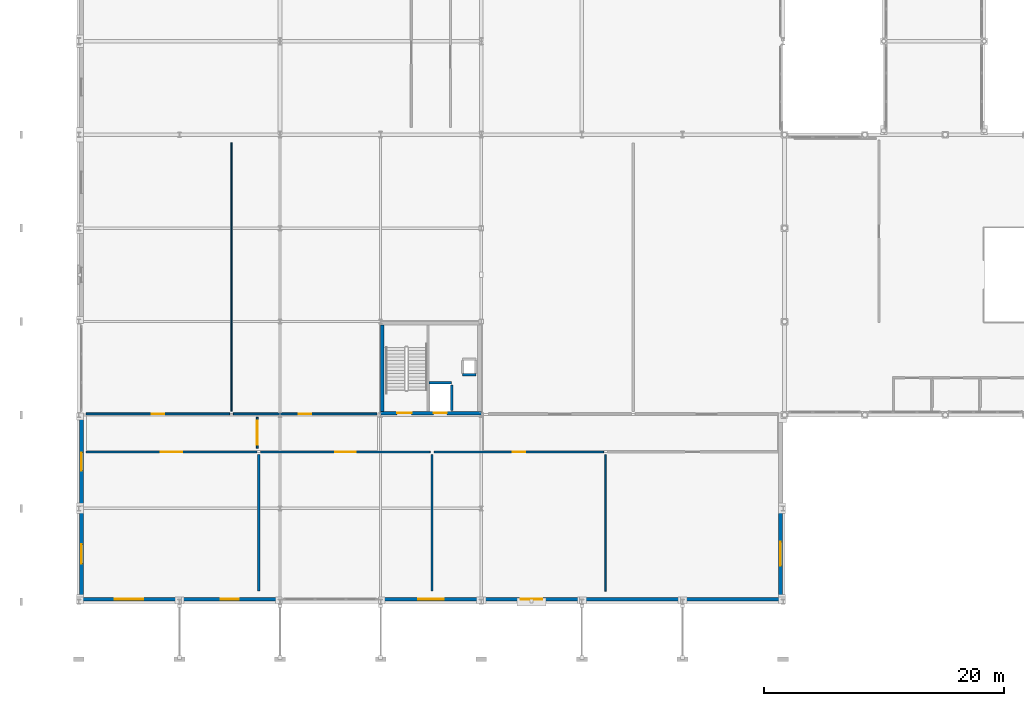
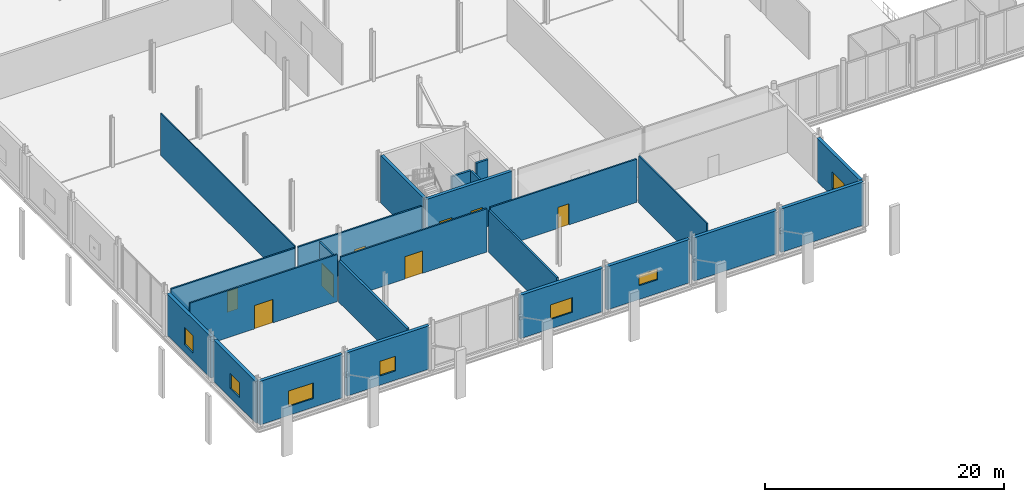
# One storey, part 75 of 105: 24 walls, 8 doors, 7 windows, 15 openings.
"""IFC4 building model written with IfcOpenShell, lengths in metres."""

from ifc_helpers import new_model, si_unit, direction, frame, frame_2d, origin, place, context, subcontext, project, spatial, rectangle, extrude, material, layer, layer_set, type_object, element, fill, save


model = new_model("IFC4")

# Units and contexts
model_context = context("Model", 3, precision=1e-05, world=origin(), true_north=direction((0.0, 1.0)))
body_context = subcontext(model_context, "Body", "Model", "MODEL_VIEW")
ifc_project = project(units=[si_unit("LENGTHUNIT", "METRE"), si_unit("AREAUNIT", "SQUARE_METRE"), si_unit("VOLUMEUNIT", "CUBIC_METRE"), si_unit("PLANEANGLEUNIT", "RADIAN"), si_unit("MASSUNIT", "GRAM", prefix="KILO")], contexts=[model_context])

# Site, building, storey
site_placement = place(None, origin())
site = spatial("IfcSite", under=ifc_project, at=site_placement, CompositionType="ELEMENT")
building_placement = place(site_placement, origin())
building = spatial("IfcBuilding", under=site, at=building_placement, Name="Nabrawat Pavilion Hospital", CompositionType="ELEMENT")
storey_placement = place(building_placement, frame((0.0, 0.0, 5.10009765625)))
storey = spatial("IfcBuildingStorey", under=building, at=storey_placement, Name="L01", CompositionType="ELEMENT", Elevation=5.10009765625)

# Wall
ifc_material_1 = material(Name="Gypsum Plasterboard on Stud", Category="gypsum")
ifc_layer_1 = layer(ifc_material_1, 0.10009765625, Name="Gypsum Plasterboard on Stud")
ifc_layer_set_1 = layer_set([ifc_layer_1], Name="Gypsum Plasterboard on Stud")
wall_type_1 = type_object("IfcWallType", Name="Clean Utility Sub-Partition 100", PredefinedType="PARTITIONING", material=ifc_layer_set_1)
wall_1_placement = place(storey_placement, frame((12.75, 15.909912109375, 0.0), z_axis=(0.0, 0.0, 1.0), x_axis=(0.0, 1.0, 0.0)))
element("IfcWall", 1, at=wall_1_placement, inside=storey, type_object=wall_type_1, Name="L01 Anaesthesia Induction Room L01-05 Dividing Partition", PredefinedType="PARTITIONING", context=body_context, shape_type="SweptSolid", body=[
    extrude(rectangle(XDim=22.400146484375, YDim=0.10009765625, at=frame_2d((11.2001953125, 0.0))), origin(), (0.0, 0.0, 1.0), 4.329833984375),
])

# Wall, opening, door
ifc_material_2 = material(Name="Gypsum Fireboard on Steel Stud", Category="steel")
ifc_layer_2 = layer(ifc_material_2, 0.14990234375, Name="Gypsum Fireboard on Steel Stud")
ifc_layer_set_2 = layer_set([ifc_layer_2], Name="Gypsum Fireboard on Steel Stud")
wall_type_2 = type_object("IfcWallType", Name="Clinical Corridor Smoke-Barrier Wall 150", PredefinedType="PARTITIONING", material=ifc_layer_set_2)
wall_2_placement = place(storey_placement, frame((0.6201171875, 12.510009765625, 0.0), z_axis=(0.0, 0.0, 1.0), x_axis=(1.0, 0.0, 0.0)))
wall_2 = element("IfcWall", 2, at=wall_2_placement, inside=storey, type_object=wall_type_2, Name="L01 Operating Theatre Emergency Trauma L01-01 Front Partition", PredefinedType="PARTITIONING", context=body_context, shape_type="SweptSolid", body=[
    extrude(rectangle(XDim=14.239990234375, YDim=0.14990234375, at=frame_2d((7.1201171875, 0.0))), origin(), (0.0, 0.0, 1.0), 4.81982421875),
])
opening_1_placement = place(wall_2_placement, frame((6.219970703125, 0.0, 0.0)))
opening_1 = element("IfcOpeningElement", 3, at=opening_1_placement, cuts=wall_2, Name="Opening D-OR", PredefinedType="OPENING", context=body_context, shape_type="SweptSolid", body=[
    extrude(rectangle(XDim=1.800048828125, YDim=2.39990234375, at=frame_2d((0.89990234375, 1.199951171875))), frame((0.0, 0.0849609375, 0.0), z_axis=(0.0, -1.0, 0.0), x_axis=(1.0, 0.0, 0.0)), (0.0, 0.0, 1.0), 0.169921875),
])
ifc_material_3 = material(Name="Stainless-Clad Acoustic Timber and Vision Glass", Category="wood")
door_type_1 = type_object("IfcDoorType", Name="D-OR Hermetic Operating Theatre Automatic Door 1800x2400", OperationType="DOUBLE_DOOR_SLIDING", PredefinedType="DOOR", material=ifc_material_3)
door_1_placement = place(opening_1_placement, origin())
door_1 = element("IfcDoor", 4, at=door_1_placement, inside=storey, type_object=door_type_1, Name="Operating Theatre Emergency Trauma L01-01 Door", OperationType="DOUBLE_DOOR_SLIDING", OverallHeight=2.39990234375, OverallWidth=1.800048828125, PredefinedType="DOOR", context=body_context, shape_type="SweptSolid", body=[
    extrude(rectangle(XDim=1.800048828125, YDim=2.39990234375, at=frame_2d((0.89990234375, 1.199951171875))), frame((0.0, 0.02490234375, 0.0), z_axis=(0.0, -1.0, 0.0), x_axis=(1.0, 0.0, 0.0)), (0.0, 0.0, 1.0), 0.050048828125),
])
fill(opening_1, door_1)

wall_3_placement = place(storey_placement, frame((15.179931640625, 12.510009765625, 0.0), z_axis=(0.0, 0.0, 1.0), x_axis=(1.0, 0.0, 0.0)))
wall_3 = element("IfcWall", 5, at=wall_3_placement, inside=storey, type_object=wall_type_2, Name="L01 Intensive Care Pod Surgical Trauma L01-02 Front Partition", PredefinedType="PARTITIONING", context=body_context, shape_type="SweptSolid", body=[
    extrude(rectangle(XDim=14.16015625, YDim=0.14990234375, at=frame_2d((7.080078125, 0.0))), origin(), (0.0, 0.0, 1.0), 4.429931640625),
])
opening_2_placement = place(wall_3_placement, frame((6.22998046875, 0.0, 0.0)))
opening_2 = element("IfcOpeningElement", 6, at=opening_2_placement, cuts=wall_3, Name="Opening D-ICU", PredefinedType="OPENING", context=body_context, shape_type="SweptSolid", body=[
    extrude(rectangle(XDim=1.699951171875, YDim=2.300048828125, at=frame_2d((0.85009765625, 1.14990234375))), frame((0.0, 0.0849609375, 0.0), z_axis=(0.0, -1.0, 0.0), x_axis=(1.0, 0.0, 0.0)), (0.0, 0.0, 1.0), 0.169921875),
])
door_type_2 = type_object("IfcDoorType", Name="Intensive Care Glazed Breakout Door 1700x2300", OperationType="DOUBLE_DOOR_SLIDING", PredefinedType="DOOR", material=ifc_material_3)
door_2_placement = place(opening_2_placement, origin())
door_2 = element("IfcDoor", 7, at=door_2_placement, inside=storey, type_object=door_type_2, Name="Intensive Care Pod Surgical Trauma L01-02 Door", OperationType="DOUBLE_DOOR_SLIDING", OverallHeight=2.300048828125, OverallWidth=1.699951171875, PredefinedType="DOOR", context=body_context, shape_type="SweptSolid", body=[
    extrude(rectangle(XDim=1.699951171875, YDim=2.300048828125, at=frame_2d((0.85009765625, 1.14990234375))), frame((0.0, 0.02490234375, 0.0), z_axis=(0.0, -1.0, 0.0), x_axis=(1.0, 0.0, 0.0)), (0.0, 0.0, 1.0), 0.050048828125),
])
fill(opening_2, door_2)

wall_4_placement = place(storey_placement, frame((29.659912109375, 12.510009765625, 0.0), z_axis=(0.0, 0.0, 1.0), x_axis=(1.0, 0.0, 0.0)))
wall_4 = element("IfcWall", 8, at=wall_4_placement, inside=storey, type_object=wall_type_2, Name="L01 Post-Anaesthesia Care Recovery Bay L01-03 Front Partition", PredefinedType="PARTITIONING", context=body_context, shape_type="SweptSolid", body=[
    extrude(rectangle(XDim=14.16015625, YDim=0.14990234375, at=frame_2d((7.080078125, 0.0))), origin(), (0.0, 0.0, 1.0), 4.429931640625),
])
opening_3_placement = place(wall_4_placement, frame((6.554931640625, 0.0, 0.0)))
opening_3 = element("IfcOpeningElement", 9, at=opening_3_placement, cuts=wall_4, Name="Opening D-OPC-L", PredefinedType="OPENING", context=body_context, shape_type="SweptSolid", body=[
    extrude(rectangle(XDim=1.050048828125, YDim=2.14990234375, at=frame_2d((0.52490234375, 1.074951171875))), frame((0.0, 0.0849609375, 0.0), z_axis=(0.0, -1.0, 0.0), x_axis=(1.0, 0.0, 0.0)), (0.0, 0.0, 1.0), 0.169921875),
])
door_type_3 = type_object("IfcDoorType", Name="Outpatient Clinic Consultation Door L 1050x2150", OperationType="NOTDEFINED", PredefinedType="DOOR", material=ifc_material_3)
door_3_placement = place(opening_3_placement, origin())
door_3 = element("IfcDoor", 10, at=door_3_placement, inside=storey, type_object=door_type_3, Name="Post-Anaesthesia Care Recovery Bay L01-03 Door", OperationType="SINGLE_SWING_RIGHT", OverallHeight=2.14990234375, OverallWidth=1.050048828125, PredefinedType="DOOR", context=body_context, shape_type="SweptSolid", body=[
    extrude(rectangle(XDim=1.050048828125, YDim=2.14990234375, at=frame_2d((0.52490234375, 1.074951171875))), frame((0.0, 0.02490234375, 0.0), z_axis=(0.0, -1.0, 0.0), x_axis=(1.0, 0.0, 0.0)), (0.0, 0.0, 1.0), 0.050048828125),
])
fill(opening_3, door_3)

wall_5_placement = place(storey_placement, frame((0.6201171875, 15.68994140625, 0.0), z_axis=(0.0, 0.0, 1.0), x_axis=(1.0, 0.0, 0.0)))
wall_5 = element("IfcWall", 11, at=wall_5_placement, inside=storey, type_object=wall_type_2, Name="L01 Anaesthesia Induction Room L01-05 Front Partition", PredefinedType="PARTITIONING", context=body_context, shape_type="SweptSolid", body=[
    extrude(rectangle(XDim=11.969970703125, YDim=0.14990234375, at=frame_2d((5.98486328125, 0.0))), origin(), (0.0, 0.0, 1.0), 4.329833984375),
])
opening_4_placement = place(wall_5_placement, frame((5.4599609375, 0.0, 0.0)))
opening_4 = element("IfcOpeningElement", 12, at=opening_4_placement, cuts=wall_5, Name="Opening D-OPC-L", PredefinedType="OPENING", context=body_context, shape_type="SweptSolid", body=[
    extrude(rectangle(XDim=1.050048828125, YDim=2.14990234375, at=frame_2d((0.52490234375, 1.074951171875))), frame((0.0, 0.0849609375, 0.0), z_axis=(0.0, -1.0, 0.0), x_axis=(1.0, 0.0, 0.0)), (0.0, 0.0, 1.0), 0.169921875),
])
door_4_placement = place(opening_4_placement, origin())
door_4 = element("IfcDoor", 13, at=door_4_placement, inside=storey, type_object=door_type_3, Name="Anaesthesia Induction Room L01-05 Door", OperationType="SINGLE_SWING_RIGHT", OverallHeight=2.14990234375, OverallWidth=1.050048828125, PredefinedType="DOOR", context=body_context, shape_type="SweptSolid", body=[
    extrude(rectangle(XDim=1.050048828125, YDim=2.14990234375, at=frame_2d((0.52490234375, 1.074951171875))), frame((0.0, 0.02490234375, 0.0), z_axis=(0.0, -1.0, 0.0), x_axis=(1.0, 0.0, 0.0)), (0.0, 0.0, 1.0), 0.050048828125),
])
fill(opening_4, door_4)

wall_6_placement = place(storey_placement, frame((12.909912109375, 15.68994140625, 0.0), z_axis=(0.0, 0.0, 1.0), x_axis=(1.0, 0.0, 0.0)))
wall_6 = element("IfcWall", 14, at=wall_6_placement, inside=storey, type_object=wall_type_2, Name="L01 Sterile Instrument Layup Room L01-06 Front Partition", PredefinedType="PARTITIONING", context=body_context, shape_type="SweptSolid", body=[
    extrude(rectangle(XDim=11.969970703125, YDim=0.14990234375, at=frame_2d((5.98486328125, 0.0))), origin(), (0.0, 0.0, 1.0), 4.329833984375),
])
opening_5_placement = place(wall_6_placement, frame((5.4599609375, 0.0, 0.0)))
opening_5 = element("IfcOpeningElement", 15, at=opening_5_placement, cuts=wall_6, Name="Opening D-OPC-R", PredefinedType="OPENING", context=body_context, shape_type="SweptSolid", body=[
    extrude(rectangle(XDim=1.050048828125, YDim=2.14990234375, at=frame_2d((0.52490234375, 1.074951171875))), frame((0.0, 0.0849609375, 0.0), z_axis=(0.0, -1.0, 0.0), x_axis=(1.0, 0.0, 0.0)), (0.0, 0.0, 1.0), 0.169921875),
])
door_type_4 = type_object("IfcDoorType", Name="Outpatient Clinic Consultation Door R 1050x2150", OperationType="NOTDEFINED", PredefinedType="DOOR", material=ifc_material_3)
door_5_placement = place(opening_5_placement, origin())
door_5 = element("IfcDoor", 16, at=door_5_placement, inside=storey, type_object=door_type_4, Name="Sterile Instrument Layup Room L01-06 Door", OperationType="SINGLE_SWING_LEFT", OverallHeight=2.14990234375, OverallWidth=1.050048828125, PredefinedType="DOOR", context=body_context, shape_type="SweptSolid", body=[
    extrude(rectangle(XDim=1.050048828125, YDim=2.14990234375, at=frame_2d((0.52490234375, 1.074951171875))), frame((0.0, 0.02490234375, 0.0), z_axis=(0.0, -1.0, 0.0), x_axis=(1.0, 0.0, 0.0)), (0.0, 0.0, 1.0), 0.050048828125),
])
fill(opening_5, door_5)

# Wall
ifc_material_4 = material(Name="Acoustic Gypsum on Twin Stud", Category="gypsum")
ifc_layer_3 = layer(ifc_material_4, 0.179931640625, Name="Acoustic Gypsum on Twin Stud")
ifc_layer_set_3 = layer_set([ifc_layer_3], Name="Acoustic Gypsum on Twin Stud")
wall_type_3 = type_object("IfcWallType", Name="Critical Care Acoustic Glazed Partition 180", PredefinedType="PARTITIONING", material=ifc_layer_set_3)
wall_7_placement = place(storey_placement, frame((29.5, 0.889892578125, 0.0), z_axis=(0.0, 0.0, 1.0), x_axis=(0.0, 1.0, 0.0)))
element("IfcWall", 17, at=wall_7_placement, inside=storey, type_object=wall_type_3, Name="L01 Intensive Care Pod Surgical Trauma L01-02 Dividing Partition", PredefinedType="PARTITIONING", context=body_context, shape_type="SweptSolid", body=[
    extrude(rectangle(XDim=11.400146484375, YDim=0.179931640625, at=frame_2d((5.7001953125, 0.0))), origin(), (0.0, 0.0, 1.0), 4.329833984375),
])

# Wall, opening, door
ifc_layer_4 = layer(ifc_material_2, 0.159912109375, Name="Gypsum Fireboard on Steel Stud")
ifc_layer_set_4 = layer_set([ifc_layer_4], Name="Gypsum Fireboard on Steel Stud")
wall_type_4 = type_object("IfcWallType", Name="Cross-Corridor Smoke-Compartment Wall 160", PredefinedType="PARTITIONING", material=ifc_layer_set_4)
wall_8_placement = place(storey_placement, frame((14.89990234375, 12.81005859375, 0.0), z_axis=(0.0, 0.0, 1.0), x_axis=(0.0, 1.0, 0.0)))
wall_8 = element("IfcWall", 18, at=wall_8_placement, inside=storey, type_object=wall_type_4, Name="L01 Cross-Corridor Smoke Compartment Wall", PredefinedType="PARTITIONING", context=body_context, shape_type="SweptSolid", body=[
    extrude(rectangle(XDim=2.579833984375, YDim=0.159912109375, at=frame_2d((1.2900390625, 0.0))), origin(), (0.0, 0.0, 1.0), 4.329833984375),
])
opening_6_placement = place(wall_8_placement, frame((0.2900390625, 0.0, 0.0)))
opening_6 = element("IfcOpeningElement", 19, at=opening_6_placement, cuts=wall_8, Name="Opening D-SMOKE", PredefinedType="OPENING", context=body_context, shape_type="SweptSolid", body=[
    extrude(rectangle(XDim=2.0, YDim=2.300048828125, at=frame_2d((1.0, 1.14990234375))), frame((0.0, 0.08984375, 0.0), z_axis=(0.0, -1.0, 0.0), x_axis=(1.0, 0.0, 0.0)), (0.0, 0.0, 1.0), 0.179931640625),
])
door_type_5 = type_object("IfcDoorType", Name="D-SMOKE Corridor Hold-Open Smoke Door 2000x2300", OperationType="NOTDEFINED", PredefinedType="DOOR", material=ifc_material_3)
door_6_placement = place(opening_6_placement, origin())
door_6 = element("IfcDoor", 20, at=door_6_placement, inside=storey, type_object=door_type_5, Name="L01 Cross-Corridor Hold-Open Smoke Door", OperationType="DOUBLE_SWING_LEFT", OverallHeight=2.300048828125, OverallWidth=2.0, PredefinedType="DOOR", context=body_context, shape_type="SweptSolid", body=[
    extrude(rectangle(XDim=2.0, YDim=2.300048828125, at=frame_2d((1.0, 1.14990234375))), frame((0.0, 0.02490234375, 0.0), z_axis=(0.0, -1.0, 0.0), x_axis=(1.0, 0.0, 0.0)), (0.0, 0.0, 1.0), 0.050048828125),
])
fill(opening_6, door_6)

# Wall, opening, window
ifc_material_5 = material(Name="Precast concrete C40/50", Category="concrete")
ifc_layer_5 = layer(ifc_material_5, 0.320068359375, Name="Precast concrete C40/50")
ifc_layer_set_5 = layer_set([ifc_layer_5], Name="Precast concrete C40/50")
wall_type_5 = type_object("IfcWallType", Name="Deep-Reveal Precast Facade Wall 320", PredefinedType="SOLIDWALL", material=ifc_layer_set_5)
wall_9_placement = place(storey_placement, frame((0.219970703125, 0.43994140625, 0.0), z_axis=(0.0, 0.0, 1.0), x_axis=(0.0, 1.0, 0.0)))
wall_9 = element("IfcWall", 21, at=wall_9_placement, inside=storey, type_object=wall_type_5, Name="L01 Deep-Reveal Precast Facade Wall 320 170", PredefinedType="SOLIDWALL", context=body_context, shape_type="SweptSolid", body=[
    extrude(rectangle(XDim=7.110107421875, YDim=0.320068359375, at=frame_2d((3.55517578125, 0.0))), origin(), (0.0, 0.0, 1.0), 4.22998046875),
])
opening_7_placement = place(wall_9_placement, frame((2.7548828125, 0.0, 0.949951171875)))
opening_7 = element("IfcOpeningElement", 22, at=opening_7_placement, cuts=wall_9, Name="Opening WN-31", PredefinedType="OPENING", context=body_context, shape_type="SweptSolid", body=[
    extrude(rectangle(XDim=1.60009765625, YDim=1.550048828125, at=frame_2d((0.800048828125, 0.77490234375))), frame((0.0, 0.169921875, 0.0), z_axis=(0.0, -1.0, 0.0), x_axis=(1.0, 0.0, 0.0)), (0.0, 0.0, 1.0), 0.340087890625),
])
ifc_material_6 = material(Name="Thermally Broken Aluminium and Solar Glass", Category="aluminium")
window_type_1 = type_object("IfcWindowType", Name="Dental Clinic Window 1600x1550", PartitioningType="SINGLE_PANEL", PredefinedType="WINDOW", material=ifc_material_6)
window_1_placement = place(opening_7_placement, origin())
window_1 = element("IfcWindow", 23, at=window_1_placement, inside=storey, type_object=window_type_1, Name="L01 Dental Clinic Window 1600x1550 063", OverallHeight=1.550048828125, OverallWidth=1.60009765625, PartitioningType="SINGLE_PANEL", PredefinedType="WINDOW", context=body_context, shape_type="SweptSolid", body=[
    extrude(rectangle(XDim=1.60009765625, YDim=1.550048828125, at=frame_2d((0.800048828125, 0.77490234375))), frame((0.0, 0.030029296875, 0.0), z_axis=(0.0, -1.0, 0.0), x_axis=(1.0, 0.0, 0.0)), (0.0, 0.0, 1.0), 0.06005859375),
])
fill(opening_7, window_1)

wall_10_placement = place(storey_placement, frame((0.219970703125, 8.050048828125, 0.0), z_axis=(0.0, 0.0, 1.0), x_axis=(0.0, 1.0, 0.0)))
wall_10 = element("IfcWall", 24, at=wall_10_placement, inside=storey, type_object=wall_type_5, Name="L01 Deep-Reveal Precast Facade Wall 320 171", PredefinedType="SOLIDWALL", context=body_context, shape_type="SweptSolid", body=[
    extrude(rectangle(XDim=7.300048828125, YDim=0.320068359375, at=frame_2d((3.64990234375, 0.0))), origin(), (0.0, 0.0, 1.0), 4.22998046875),
])
opening_8_placement = place(wall_10_placement, frame((2.89990234375, 0.0, 0.800048828125)))
opening_8 = element("IfcOpeningElement", 25, at=opening_8_placement, cuts=wall_10, Name="Opening WN-32", PredefinedType="OPENING", context=body_context, shape_type="SweptSolid", body=[
    extrude(rectangle(XDim=1.5, YDim=1.75, at=frame_2d((0.75, 0.875))), frame((0.0, 0.169921875, 0.0), z_axis=(0.0, -1.0, 0.0), x_axis=(1.0, 0.0, 0.0)), (0.0, 0.0, 1.0), 0.340087890625),
])
window_type_2 = type_object("IfcWindowType", Name="Respiratory Isolation Window 1500x1750", PartitioningType="SINGLE_PANEL", PredefinedType="WINDOW", material=ifc_material_6)
window_2_placement = place(opening_8_placement, origin())
window_2 = element("IfcWindow", 26, at=window_2_placement, inside=storey, type_object=window_type_2, Name="L01 Respiratory Isolation Window 1500x1750 064", OverallHeight=1.75, OverallWidth=1.5, PartitioningType="SINGLE_PANEL", PredefinedType="WINDOW", context=body_context, shape_type="SweptSolid", body=[
    extrude(rectangle(XDim=1.5, YDim=1.75, at=frame_2d((0.75, 0.875))), frame((0.0, 0.030029296875, 0.0), z_axis=(0.0, -1.0, 0.0), x_axis=(1.0, 0.0, 0.0)), (0.0, 0.0, 1.0), 0.06005859375),
])
fill(opening_8, window_2)

wall_11_placement = place(storey_placement, frame((0.199951171875, 0.219970703125, 0.0), z_axis=(0.0, 0.0, 1.0), x_axis=(1.0, 0.0, 0.0)))
wall_11 = element("IfcWall", 27, at=wall_11_placement, inside=storey, type_object=wall_type_5, Name="L01 Deep-Reveal Precast Facade Wall 320 174", PredefinedType="SOLIDWALL", context=body_context, shape_type="SweptSolid", body=[
    extrude(rectangle(XDim=8.0, YDim=0.320068359375, at=frame_2d((4.0, 0.0))), origin(), (0.0, 0.0, 1.0), 4.43994140625),
])
opening_9_placement = place(wall_11_placement, frame((2.800048828125, 0.0, 0.89990234375)))
opening_9 = element("IfcOpeningElement", 28, at=opening_9_placement, cuts=wall_11, Name="Opening WN-03", PredefinedType="OPENING", context=body_context, shape_type="SweptSolid", body=[
    extrude(rectangle(XDim=2.39990234375, YDim=1.60009765625, at=frame_2d((1.199951171875, 0.800048828125))), frame((0.0, 0.169921875, 0.0), z_axis=(0.0, -1.0, 0.0), x_axis=(1.0, 0.0, 0.0)), (0.0, 0.0, 1.0), 0.340087890625),
])
window_type_3 = type_object("IfcWindowType", Name="Deep-Reveal Ward Bay Window 2400x1600", PartitioningType="SINGLE_PANEL", PredefinedType="WINDOW", material=ifc_material_6)
window_3_placement = place(opening_9_placement, origin())
window_3 = element("IfcWindow", 29, at=window_3_placement, inside=storey, type_object=window_type_3, Name="L01 Deep-Reveal Ward Bay Window 2400x1600 067", OverallHeight=1.60009765625, OverallWidth=2.39990234375, PartitioningType="SINGLE_PANEL", PredefinedType="WINDOW", context=body_context, shape_type="SweptSolid", body=[
    extrude(rectangle(XDim=2.39990234375, YDim=1.60009765625, at=frame_2d((1.199951171875, 0.800048828125))), frame((0.0, 0.030029296875, 0.0), z_axis=(0.0, -1.0, 0.0), x_axis=(1.0, 0.0, 0.0)), (0.0, 0.0, 1.0), 0.06005859375),
])
fill(opening_9, window_3)

wall_12_placement = place(storey_placement, frame((8.60009765625, 0.219970703125, 0.0), z_axis=(0.0, 0.0, 1.0), x_axis=(1.0, 0.0, 0.0)))
wall_12 = element("IfcWall", 30, at=wall_12_placement, inside=storey, type_object=wall_type_5, Name="L01 Deep-Reveal Precast Facade Wall 320 175", PredefinedType="SOLIDWALL", context=body_context, shape_type="SweptSolid", body=[
    extrude(rectangle(XDim=8.0, YDim=0.320068359375, at=frame_2d((4.0, 0.0))), origin(), (0.0, 0.0, 1.0), 4.429931640625),
])
opening_10_placement = place(wall_12_placement, frame((3.25, 0.0, 0.949951171875)))
opening_10 = element("IfcOpeningElement", 31, at=opening_10_placement, cuts=wall_12, Name="Opening WN-04", PredefinedType="OPENING", context=body_context, shape_type="SweptSolid", body=[
    extrude(rectangle(XDim=1.5, YDim=1.5, at=frame_2d((0.75, 0.75))), frame((0.0, 0.169921875, 0.0), z_axis=(0.0, -1.0, 0.0), x_axis=(1.0, 0.0, 0.0)), (0.0, 0.0, 1.0), 0.340087890625),
])
window_type_4 = type_object("IfcWindowType", Name="Outpatient Consultation Window 1500x1500", PartitioningType="SINGLE_PANEL", PredefinedType="WINDOW", material=ifc_material_6)
window_4_placement = place(opening_10_placement, origin())
window_4 = element("IfcWindow", 32, at=window_4_placement, inside=storey, type_object=window_type_4, Name="L01 Outpatient Consultation Window 1500x1500 068", OverallHeight=1.5, OverallWidth=1.5, PartitioningType="SINGLE_PANEL", PredefinedType="WINDOW", context=body_context, shape_type="SweptSolid", body=[
    extrude(rectangle(XDim=1.5, YDim=1.5, at=frame_2d((0.75, 0.75))), frame((0.0, 0.030029296875, 0.0), z_axis=(0.0, -1.0, 0.0), x_axis=(1.0, 0.0, 0.0)), (0.0, 0.0, 1.0), 0.06005859375),
])
fill(opening_10, window_4)

wall_13_placement = place(storey_placement, frame((25.39990234375, 0.219970703125, 0.0), z_axis=(0.0, 0.0, 1.0), x_axis=(1.0, 0.0, 0.0)))
wall_13 = element("IfcWall", 33, at=wall_13_placement, inside=storey, type_object=wall_type_5, Name="L01 Deep-Reveal Precast Facade Wall 320 176", PredefinedType="SOLIDWALL", context=body_context, shape_type="SweptSolid", body=[
    extrude(rectangle(XDim=8.0, YDim=0.320068359375, at=frame_2d((4.0, 0.0))), origin(), (0.0, 0.0, 1.0), 4.429931640625),
])
opening_11_placement = place(wall_13_placement, frame((2.949951171875, 0.0, 0.949951171875)))
opening_11 = element("IfcOpeningElement", 34, at=opening_11_placement, cuts=wall_13, Name="Opening WN-05", PredefinedType="OPENING", context=body_context, shape_type="SweptSolid", body=[
    extrude(rectangle(XDim=2.10009765625, YDim=1.5, at=frame_2d((1.050048828125, 0.75))), frame((0.0, 0.169921875, 0.0), z_axis=(0.0, -1.0, 0.0), x_axis=(1.0, 0.0, 0.0)), (0.0, 0.0, 1.0), 0.340087890625),
])
window_type_5 = type_object("IfcWindowType", Name="Outpatient Double Window 2100x1500", PartitioningType="SINGLE_PANEL", PredefinedType="WINDOW", material=ifc_material_6)
window_5_placement = place(opening_11_placement, origin())
window_5 = element("IfcWindow", 35, at=window_5_placement, inside=storey, type_object=window_type_5, Name="L01 Outpatient Double Window 2100x1500 069", OverallHeight=1.5, OverallWidth=2.10009765625, PartitioningType="SINGLE_PANEL", PredefinedType="WINDOW", context=body_context, shape_type="SweptSolid", body=[
    extrude(rectangle(XDim=2.10009765625, YDim=1.5, at=frame_2d((1.050048828125, 0.75))), frame((0.0, 0.030029296875, 0.0), z_axis=(0.0, -1.0, 0.0), x_axis=(1.0, 0.0, 0.0)), (0.0, 0.0, 1.0), 0.06005859375),
])
fill(opening_11, window_5)

wall_14_placement = place(storey_placement, frame((33.800048828125, 0.219970703125, 0.0), z_axis=(0.0, 0.0, 1.0), x_axis=(1.0, 0.0, 0.0)))
wall_14 = element("IfcWall", 36, at=wall_14_placement, inside=storey, type_object=wall_type_5, Name="L01 Deep-Reveal Precast Facade Wall 320 177", PredefinedType="SOLIDWALL", context=body_context, shape_type="SweptSolid", body=[
    extrude(rectangle(XDim=8.0, YDim=0.320068359375, at=frame_2d((4.0, 0.0))), origin(), (0.0, 0.0, 1.0), 4.429931640625),
])
opening_12_placement = place(wall_14_placement, frame((3.10009765625, 0.0, 1.39990234375)))
opening_12 = element("IfcOpeningElement", 37, at=opening_12_placement, cuts=wall_14, Name="Opening WN-06", PredefinedType="OPENING", context=body_context, shape_type="SweptSolid", body=[
    extrude(rectangle(XDim=1.800048828125, YDim=1.10009765625, at=frame_2d((0.89990234375, 0.550048828125))), frame((0.0, 0.169921875, 0.0), z_axis=(0.0, -1.0, 0.0), x_axis=(1.0, 0.0, 0.0)), (0.0, 0.0, 1.0), 0.340087890625),
])
window_type_6 = type_object("IfcWindowType", Name="Emergency Cubicle Clerestory Window 1800x1100", PartitioningType="SINGLE_PANEL", PredefinedType="WINDOW", material=ifc_material_6)
window_6_placement = place(opening_12_placement, origin())
window_6 = element("IfcWindow", 38, at=window_6_placement, inside=storey, type_object=window_type_6, Name="L01 Emergency Cubicle Clerestory Window 1800x1100 070", OverallHeight=1.10009765625, OverallWidth=1.800048828125, PartitioningType="SINGLE_PANEL", PredefinedType="WINDOW", context=body_context, shape_type="SweptSolid", body=[
    extrude(rectangle(XDim=1.800048828125, YDim=1.10009765625, at=frame_2d((0.89990234375, 0.550048828125))), frame((0.0, 0.030029296875, 0.0), z_axis=(0.0, -1.0, 0.0), x_axis=(1.0, 0.0, 0.0)), (0.0, 0.0, 1.0), 0.06005859375),
])
fill(opening_12, window_6)

# Walls
for number, where, z_axis, x_axis, name in (
    (39, (42.199951171875, 0.219970703125, 0.0), (0.0, 0.0, 1.0), (1.0, 0.0, 0.0), "L01 Deep-Reveal Precast Facade Wall 320 178"),
    (40, (50.60009765625, 0.219970703125, 0.0), (0.0, 0.0, 1.0), (1.0, 0.0, 0.0), "L01 Deep-Reveal Precast Facade Wall 320 179"),
):
    element("IfcWall", number, at=place(storey_placement, frame(where, z_axis=z_axis, x_axis=x_axis)), inside=storey, type_object=wall_type_5, Name=name, PredefinedType="SOLIDWALL", context=body_context, shape_type="SweptSolid", body=[
        extrude(rectangle(XDim=8.0, YDim=0.320068359375, at=frame_2d((4.0, 0.0))), origin(), (0.0, 0.0, 1.0), 4.43994140625),
    ])

# Wall, opening, window
wall_15_placement = place(storey_placement, frame((58.580078125, 0.43994140625, 0.0), z_axis=(0.0, 0.0, 1.0), x_axis=(0.0, 1.0, 0.0)))
wall_15 = element("IfcWall", 41, at=wall_15_placement, inside=storey, type_object=wall_type_5, Name="L01 Deep-Reveal Precast Facade Wall 320 195", PredefinedType="SOLIDWALL", context=body_context, shape_type="SweptSolid", body=[
    extrude(rectangle(XDim=7.110107421875, YDim=0.320068359375, at=frame_2d((3.55517578125, 0.0))), origin(), (0.0, 0.0, 1.0), 4.43994140625),
])
opening_13_placement = place(wall_15_placement, frame((2.554931640625, 0.0, 0.85009765625)))
opening_13 = element("IfcOpeningElement", 42, at=opening_13_placement, cuts=wall_15, Name="Opening WN-12", PredefinedType="OPENING", context=body_context, shape_type="SweptSolid", body=[
    extrude(rectangle(XDim=2.0, YDim=1.64990234375, at=frame_2d((1.0, 0.824951171875))), frame((0.0, 0.169921875, 0.0), z_axis=(0.0, -1.0, 0.0), x_axis=(1.0, 0.0, 0.0)), (0.0, 0.0, 1.0), 0.340087890625),
])
window_type_7 = type_object("IfcWindowType", Name="ICU Observation Daylight Window 2000x1650", PartitioningType="SINGLE_PANEL", PredefinedType="WINDOW", material=ifc_material_6)
window_7_placement = place(opening_13_placement, origin())
window_7 = element("IfcWindow", 43, at=window_7_placement, inside=storey, type_object=window_type_7, Name="L01 ICU Observation Daylight Window 2000x1650 076", OverallHeight=1.64990234375, OverallWidth=2.0, PartitioningType="SINGLE_PANEL", PredefinedType="WINDOW", context=body_context, shape_type="SweptSolid", body=[
    extrude(rectangle(XDim=2.0, YDim=1.64990234375, at=frame_2d((1.0, 0.824951171875))), frame((0.0, 0.030029296875, 0.0), z_axis=(0.0, -1.0, 0.0), x_axis=(1.0, 0.0, 0.0)), (0.0, 0.0, 1.0), 0.06005859375),
])
fill(opening_13, window_7)

# Walls
ifc_material_7 = material(Name="Concrete C35/45", Category="concrete")
ifc_layer_6 = layer(ifc_material_7, 0.199951171875, Name="Concrete C35/45")
ifc_layer_set_6 = layer_set([ifc_layer_6], Name="Concrete C35/45")
wall_type_6 = type_object("IfcWallType", Name="Lift and Riser Fire Shaft Wall 200", PredefinedType="PARTITIONING", material=ifc_layer_set_6)
wall_16_placement = place(storey_placement, frame((32.050048828125, 18.949951171875, 0.0), z_axis=(0.0, 0.0, 1.0), x_axis=(1.0, 0.0, 0.0)))
element("IfcWall", 44, at=wall_16_placement, inside=storey, type_object=wall_type_6, Name="L01 CORE-1 MEP Riser Shaft Wall S", PredefinedType="PARTITIONING", context=body_context, shape_type="SweptSolid", body=[
    extrude(rectangle(XDim=1.099853515625, YDim=0.199951171875, at=frame_2d((0.5498046875, 0.0))), origin(), (0.0, 0.0, 1.0), 4.22998046875),
])
wall_17_placement = place(storey_placement, frame((31.139892578125, 15.97998046875, 0.0), z_axis=(0.0, 0.0, 1.0), x_axis=(0.0, 1.0, 0.0)))
element("IfcWall", 45, at=wall_17_placement, inside=storey, type_object=wall_type_6, Name="L01 Lift LP-01 Shaft East Wall", PredefinedType="PARTITIONING", context=body_context, shape_type="SweptSolid", body=[
    extrude(rectangle(XDim=2.14013671875, YDim=0.199951171875, at=frame_2d((1.070068359375, 0.0))), origin(), (0.0, 0.0, 1.0), 4.22998046875),
])
wall_18_placement = place(storey_placement, frame((29.25, 18.280029296875, 0.0), z_axis=(0.0, 0.0, 1.0), x_axis=(1.0, 0.0, 0.0)))
element("IfcWall", 46, at=wall_18_placement, inside=storey, type_object=wall_type_6, Name="L01 Lift LP-01 Shaft Back Wall", PredefinedType="PARTITIONING", context=body_context, shape_type="SweptSolid", body=[
    extrude(rectangle(XDim=1.860107421875, YDim=0.199951171875, at=frame_2d((0.93017578125, 0.0))), origin(), (0.0, 0.0, 1.0), 4.22998046875),
])
ifc_layer_7 = layer(ifc_material_1, 0.1201171875, Name="Gypsum Plasterboard on Stud")
ifc_layer_set_7 = layer_set([ifc_layer_7], Name="Gypsum Plasterboard on Stud")
wall_type_7 = type_object("IfcWallType", Name="Outpatient Consultation Partition 120", PredefinedType="PARTITIONING", material=ifc_layer_set_7)
wall_19_placement = place(storey_placement, frame((43.97998046875, 0.889892578125, 0.0), z_axis=(0.0, 0.0, 1.0), x_axis=(0.0, 1.0, 0.0)))
element("IfcWall", 47, at=wall_19_placement, inside=storey, type_object=wall_type_7, Name="L01 Post-Anaesthesia Care Recovery Bay L01-03 Dividing Partition", PredefinedType="PARTITIONING", context=body_context, shape_type="SweptSolid", body=[
    extrude(rectangle(XDim=11.400146484375, YDim=0.1201171875, at=frame_2d((5.7001953125, 0.0))), origin(), (0.0, 0.0, 1.0), 4.81982421875),
])

# Wall, openings, doors
ifc_material_8 = material(Name="Concrete C40/50", Category="concrete")
ifc_layer_8 = layer(ifc_material_8, 0.300048828125, Name="Concrete C40/50")
ifc_layer_set_8 = layer_set([ifc_layer_8], Name="Concrete C40/50")
wall_type_8 = type_object("IfcWallType", Name="Reinforced Concrete Core Shear Wall 300", PredefinedType="SHEAR", material=ifc_layer_set_8)
wall_20_placement = place(storey_placement, frame((25.199951171875, 15.75, 0.0), z_axis=(0.0, 0.0, 1.0), x_axis=(1.0, 0.0, 0.0)))
wall_20 = element("IfcWall", 48, at=wall_20_placement, inside=storey, type_object=wall_type_8, Name="L01 CORE-1 South Core Shear Wall", PredefinedType="SHEAR", context=body_context, shape_type="SweptSolid", body=[
    extrude(rectangle(XDim=8.400146484375, YDim=0.300048828125, at=frame_2d((4.2001953125, 0.0))), origin(), (0.0, 0.0, 1.0), 4.849853515625),
])
opening_14_placement = place(wall_20_placement, frame((1.3798828125, 0.0, 0.0)))
opening_14 = element("IfcOpeningElement", 49, at=opening_14_placement, cuts=wall_20, Name="Opening D-STAIR", PredefinedType="OPENING", context=body_context, shape_type="SweptSolid", body=[
    extrude(rectangle(XDim=1.199951171875, YDim=2.14990234375, at=frame_2d((0.60009765625, 1.074951171875))), frame((0.0, 0.16015625, 0.0), z_axis=(0.0, -1.0, 0.0), x_axis=(1.0, 0.0, 0.0)), (0.0, 0.0, 1.0), 0.320068359375),
])
opening_15_placement = place(wall_20_placement, frame((4.429931640625, 0.0, 0.0)))
opening_15 = element("IfcOpeningElement", 50, at=opening_15_placement, cuts=wall_20, Name="Opening LD-LP-01", PredefinedType="OPENING", context=body_context, shape_type="SweptSolid", body=[
    extrude(rectangle(XDim=1.10009765625, YDim=2.14990234375, at=frame_2d((0.550048828125, 1.074951171875))), frame((0.0, 0.16015625, 0.0), z_axis=(0.0, -1.0, 0.0), x_axis=(1.0, 0.0, 0.0)), (0.0, 0.0, 1.0), 0.320068359375),
])
door_type_6 = type_object("IfcDoorType", Name="D-STAIR Exit Stair Fire Door 1200x2150", OperationType="NOTDEFINED", PredefinedType="DOOR", material=ifc_material_3)
door_7_placement = place(opening_14_placement, origin())
door_7 = element("IfcDoor", 51, at=door_7_placement, inside=storey, type_object=door_type_6, Name="L01 ST-01 Fire Exit Stair Door", OperationType="SINGLE_SWING_RIGHT", OverallHeight=2.14990234375, OverallWidth=1.199951171875, PredefinedType="DOOR", context=body_context, shape_type="SweptSolid", body=[
    extrude(rectangle(XDim=1.199951171875, YDim=2.14990234375, at=frame_2d((0.60009765625, 1.074951171875))), frame((0.0, 0.02490234375, 0.0), z_axis=(0.0, -1.0, 0.0), x_axis=(1.0, 0.0, 0.0)), (0.0, 0.0, 1.0), 0.050048828125),
])
fill(opening_14, door_7)
door_type_7 = type_object("IfcDoorType", Name="Passenger Lift Sliding Landing Door 1100x2150", OperationType="DOUBLE_DOOR_SLIDING", PredefinedType="DOOR", material=ifc_material_3)
door_8_placement = place(opening_15_placement, origin())
door_8 = element("IfcDoor", 52, at=door_8_placement, inside=storey, type_object=door_type_7, Name="L01 Lift LP-01 Sliding Landing Door", OperationType="DOUBLE_DOOR_SLIDING", OverallHeight=2.14990234375, OverallWidth=1.10009765625, PredefinedType="DOOR", context=body_context, shape_type="SweptSolid", body=[
    extrude(rectangle(XDim=1.10009765625, YDim=2.14990234375, at=frame_2d((0.550048828125, 1.074951171875))), frame((0.0, 0.02490234375, 0.0), z_axis=(0.0, -1.0, 0.0), x_axis=(1.0, 0.0, 0.0)), (0.0, 0.0, 1.0), 0.050048828125),
])
fill(opening_15, door_8)

# Walls
wall_21_placement = place(storey_placement, frame((25.35009765625, 15.89990234375, 0.0), z_axis=(0.0, 0.0, 1.0), x_axis=(0.0, 1.0, 0.0)))
element("IfcWall", 53, at=wall_21_placement, inside=storey, type_object=wall_type_8, Name="L01 CORE-1 West Core Shear Wall", PredefinedType="SHEAR", context=body_context, shape_type="SweptSolid", body=[
    extrude(rectangle(XDim=7.2001953125, YDim=0.300048828125, at=frame_2d((3.60009765625, 0.0))), origin(), (0.0, 0.0, 1.0), 4.849853515625),
])
ifc_material_9 = material(Name="Hygienic Gypsum and Lead Core", Category="gypsum")
ifc_layer_9 = layer(ifc_material_9, 0.219970703125, Name="Hygienic Gypsum and Lead Core")
ifc_layer_set_9 = layer_set([ifc_layer_9], Name="Hygienic Gypsum and Lead Core")
wall_type_9 = type_object("IfcWallType", Name="Surgical Hygienic Lead-Shielded Wall 220", PredefinedType="PARTITIONING", material=ifc_layer_set_9)
wall_22_placement = place(storey_placement, frame((15.02001953125, 0.889892578125, 0.0), z_axis=(0.0, 0.0, 1.0), x_axis=(0.0, 1.0, 0.0)))
element("IfcWall", 54, at=wall_22_placement, inside=storey, type_object=wall_type_9, Name="L01 Operating Theatre Emergency Trauma L01-01 Dividing Partition", PredefinedType="PARTITIONING", context=body_context, shape_type="SweptSolid", body=[
    extrude(rectangle(XDim=11.400146484375, YDim=0.219970703125, at=frame_2d((5.7001953125, 0.0))), origin(), (0.0, 0.0, 1.0), 4.22998046875),
])

save(model, "model.ifc")
